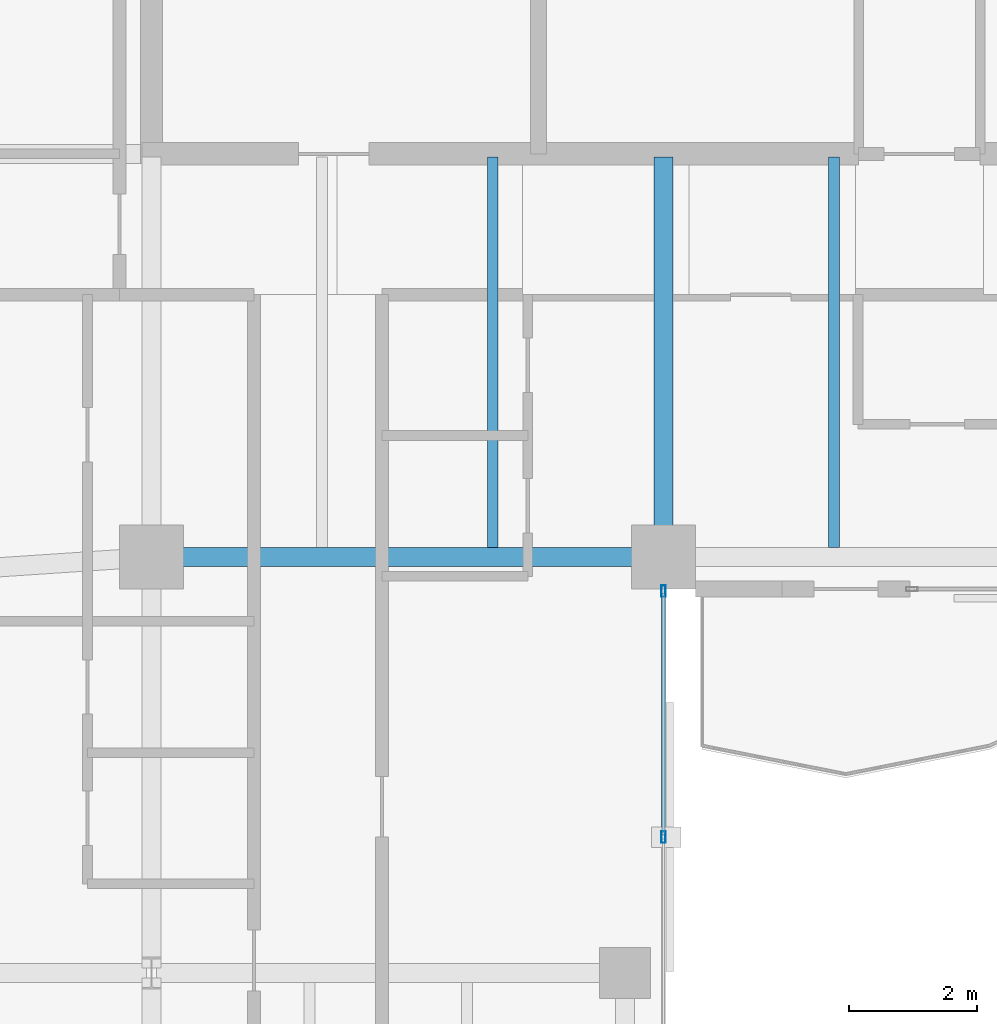
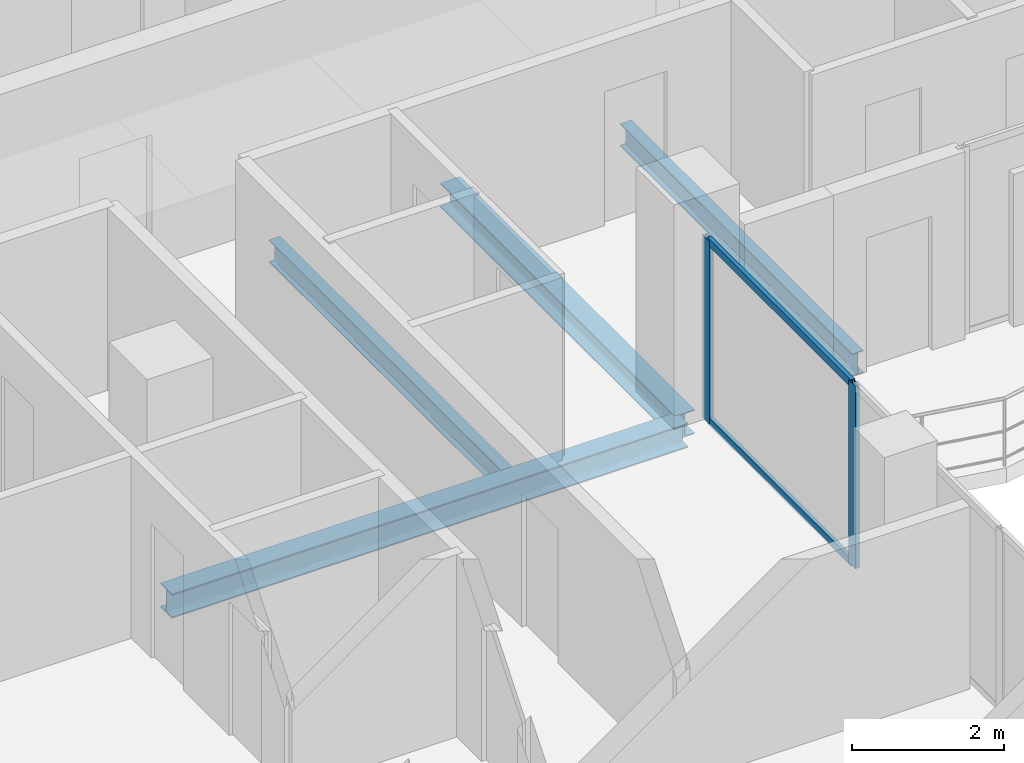
# One storey, part 10 of 24: 4 beams, 4 members, 1 element without a shape of its own.
"""IFC4 building model written with IfcOpenShell, lengths in metres."""

from ifc_helpers import new_model, si_unit, direction, frame, origin, origin_2d, place, context, subcontext, project, spatial, hollow_rectangle, i_section, extrude, material, layer, layer_set, material_profile, profile_set, type_object, element, aggregate, save


model = new_model("IFC4")

# Units and contexts
model_context = context("Model", 3, precision=1e-05, world=origin(), true_north=direction((0.0, 1.0)))
body_context = subcontext(model_context, "Body", "Model", "MODEL_VIEW")
ifc_project = project(units=[si_unit("LENGTHUNIT", "METRE"), si_unit("AREAUNIT", "SQUARE_METRE"), si_unit("VOLUMEUNIT", "CUBIC_METRE"), si_unit("PLANEANGLEUNIT", "RADIAN"), si_unit("MASSUNIT", "GRAM", prefix="KILO")], contexts=[model_context])

# Site, building, storey
site_placement = place(None, origin())
site = spatial("IfcSite", under=ifc_project, at=site_placement, CompositionType="ELEMENT")
building_placement = place(site_placement, origin())
building = spatial("IfcBuilding", under=site, at=building_placement, Name="Catumbela Crestline Tower", CompositionType="ELEMENT")
storey_placement = place(building_placement, frame((0.0, 0.0, 157.8)))
storey = spatial("IfcBuildingStorey", under=building, at=storey_placement, Name="L40", CompositionType="ELEMENT", Elevation=157.8)

# Beams
ifc_material_1 = material(Name="Structural steel S355J2", Category="steel")
ifc_material_profile_1 = material_profile(ifc_material_1, i_section(OverallWidth=0.3, OverallDepth=0.39, WebThickness=0.011, FlangeThickness=0.019, FilletRadius=0.027, at=origin_2d()), Name="HEA 400")
ifc_profile_set_1 = profile_set([ifc_material_profile_1], Name="Structural steel S355J2")
beam_type_1 = type_object("IfcBeamType", Name="BG-HEA400", PredefinedType="BEAM", material=ifc_profile_set_1)
beam_1_placement = place(storey_placement, frame((16.08, 24.5, -0.455), z_axis=(1.0, 0.0, 0.0), x_axis=(0.0, 1.0, 0.0)))
element("IfcBeam", 1, at=beam_1_placement, inside=storey, type_object=beam_type_1, Name="L40 Beam BM-L40-S03", PredefinedType="BEAM", context=body_context, shape_type="SweptSolid", body=[
    extrude(i_section(OverallWidth=0.3, OverallDepth=0.39, WebThickness=0.011, FlangeThickness=0.019, FilletRadius=0.027, at=origin_2d()), origin(), (0.0, 0.0, 1.0), 7.84),
])
beam_2_placement = place(storey_placement, frame((24.0, 24.58, -0.455), z_axis=(0.0, 1.0, 0.0), x_axis=(-1.0, 0.0, 0.0)))
element("IfcBeam", 2, at=beam_2_placement, inside=storey, type_object=beam_type_1, Name="L40 Beam BM-L40-SNS18", PredefinedType="BEAM", context=body_context, shape_type="SweptSolid", body=[
    extrude(i_section(OverallWidth=0.3, OverallDepth=0.39, WebThickness=0.011, FlangeThickness=0.019, FilletRadius=0.027, at=origin_2d()), origin(), (0.0, 0.0, 1.0), 6.17),
])
ifc_material_profile_2 = material_profile(ifc_material_1, i_section(OverallWidth=0.17, OverallDepth=0.36, WebThickness=0.008, FlangeThickness=0.0127, FilletRadius=0.018, at=origin_2d()), Name="IPE 360")
ifc_profile_set_2 = profile_set([ifc_material_profile_2], Name="Structural steel S355J2")
beam_type_2 = type_object("IfcBeamType", Name="BJ-IPE360", PredefinedType="JOIST", material=ifc_profile_set_2)
for number, where, z_axis, x_axis, name in (
    (3, (21.333, 24.647, -0.44), (0.0, 1.0, 0.0), (-1.0, 0.0, 0.0), "L40 Joist JS-L40-SP27"),
    (4, (26.667, 24.647, -0.44), (0.0, 1.0, 0.0), (-1.0, 0.0, 0.0), "L40 Joist JS-L40-SP28"),
):
    element("IfcBeam", number, at=place(storey_placement, frame(where, z_axis=z_axis, x_axis=x_axis)), inside=storey, type_object=beam_type_2, Name=name, PredefinedType="JOIST", context=body_context, shape_type="SweptSolid", body=[
        extrude(i_section(OverallWidth=0.17, OverallDepth=0.36, WebThickness=0.008, FlangeThickness=0.0127, FilletRadius=0.018, at=origin_2d()), origin(), (0.0, 0.0, 1.0), 6.103),
    ])

# Curtain wall, members
ifc_material_2 = material(Name="Aluminium alloy AW-6060-T66", Category="aluminium")
ifc_layer = layer(ifc_material_2, 0.18, Name="Aluminium alloy AW-6060-T66")
ifc_layer_set = layer_set([ifc_layer], Name="Aluminium alloy AW-6060-T66")
curtain_wall_type = type_object("IfcCurtainWallType", Name="CWU-Z3", PredefinedType="USERDEFINED", material=ifc_layer_set)
curtain_wall_placement = place(storey_placement, origin())
curtain_wall = element("IfcCurtainWall", 5, at=curtain_wall_placement, inside=storey, type_object=curtain_wall_type, Name="L40 Unitised Curtain Wall CW-L40-E2S1", ObjectType="UNITISED", PredefinedType="USERDEFINED")
ifc_material_profile_3 = material_profile(ifc_material_2, hollow_rectangle(XDim=0.065, YDim=0.18, WallThickness=0.004, at=origin_2d()), Name="ALU 180x65x4")
ifc_profile_set_3 = profile_set([ifc_material_profile_3], Name="Aluminium alloy AW-6060-T66")
member_type_1 = type_object("IfcMemberType", Name="MUL-180X65", PredefinedType="MULLION", material=ifc_profile_set_3)
member_1_placement = place(storey_placement, frame((24.0, 20.125, 0.0), z_axis=(0.0, 0.0, 1.0), x_axis=(-1.0, 0.0, 0.0)))
member_1 = element("IfcMember", 6, at=member_1_placement, type_object=member_type_1, Name="CWU-Z3 mullion 4", PredefinedType="MULLION", context=body_context, shape_type="SweptSolid", body=[
    extrude(hollow_rectangle(XDim=0.065, YDim=0.18, WallThickness=0.004, at=origin_2d()), origin(), (0.0, 0.0, 1.0), 2.93),
])
member_2_placement = place(storey_placement, frame((24.0, 23.9675, 0.0), z_axis=(0.0, 0.0, 1.0), x_axis=(-1.0, 0.0, 0.0)))
member_2 = element("IfcMember", 7, at=member_2_placement, type_object=member_type_1, Name="CWU-Z3 mullion 5", PredefinedType="MULLION", context=body_context, shape_type="SweptSolid", body=[
    extrude(hollow_rectangle(XDim=0.065, YDim=0.18, WallThickness=0.004, at=origin_2d()), origin(), (0.0, 0.0, 1.0), 2.93),
])
ifc_material_profile_4 = material_profile(ifc_material_2, hollow_rectangle(XDim=0.06, YDim=0.12, WallThickness=0.0035, at=origin_2d()), Name="ALU 120x60x3.5")
ifc_profile_set_4 = profile_set([ifc_material_profile_4], Name="Aluminium alloy AW-6060-T66")
member_type_2 = type_object("IfcMemberType", Name="TRN-120X60", PredefinedType="USERDEFINED", material=ifc_profile_set_4)
member_3_placement = place(storey_placement, frame((24.0, 20.1575, 0.03), z_axis=(0.0, 1.0, 0.0), x_axis=(-1.0, 0.0, 0.0)))
member_3 = element("IfcMember", 8, at=member_3_placement, type_object=member_type_2, Name="CWU-Z3 transom 4.1", ObjectType="TRANSOM", PredefinedType="USERDEFINED", context=body_context, shape_type="SweptSolid", body=[
    extrude(hollow_rectangle(XDim=0.06, YDim=0.12, WallThickness=0.0035, at=origin_2d()), origin(), (0.0, 0.0, 1.0), 3.7775),
])
member_4_placement = place(storey_placement, frame((24.0, 20.1575, 2.9), z_axis=(0.0, 1.0, 0.0), x_axis=(-1.0, 0.0, 0.0)))
member_4 = element("IfcMember", 9, at=member_4_placement, type_object=member_type_2, Name="CWU-Z3 transom 4.2", ObjectType="TRANSOM", PredefinedType="USERDEFINED", context=body_context, shape_type="SweptSolid", body=[
    extrude(hollow_rectangle(XDim=0.06, YDim=0.12, WallThickness=0.0035, at=origin_2d()), origin(), (0.0, 0.0, 1.0), 3.7775),
])
aggregate(curtain_wall, [member_1, member_2, member_3, member_4])

save(model, "model.ifc")
